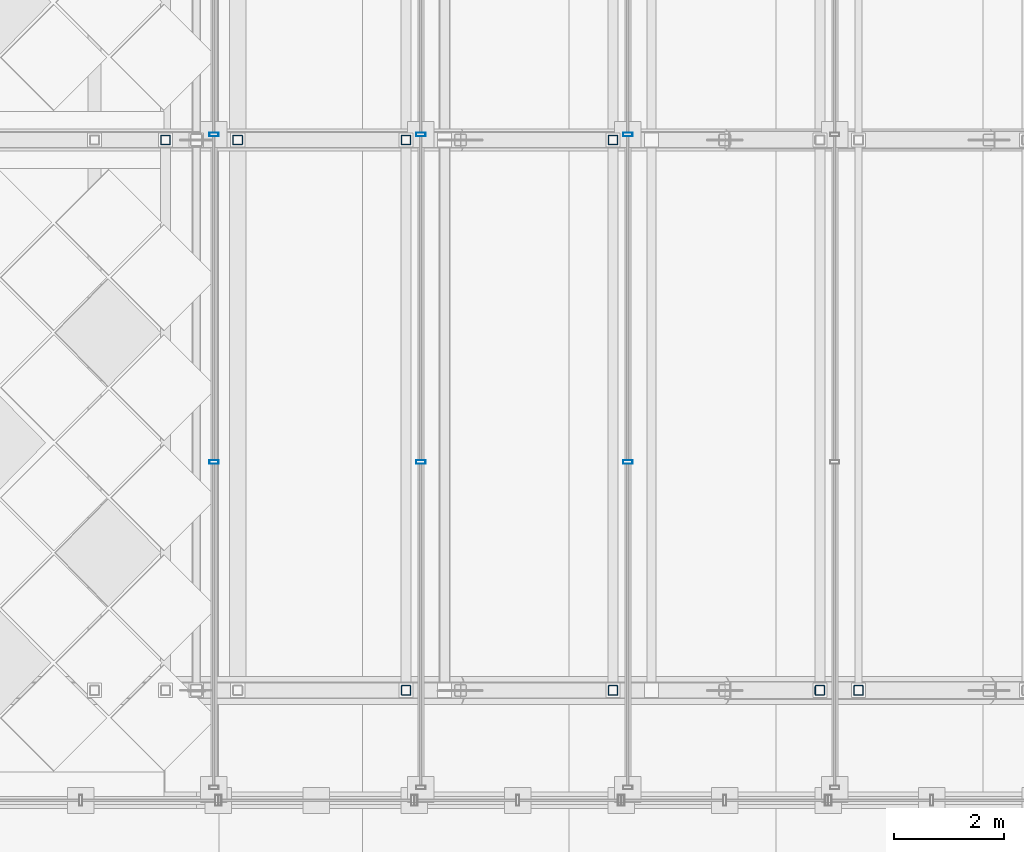
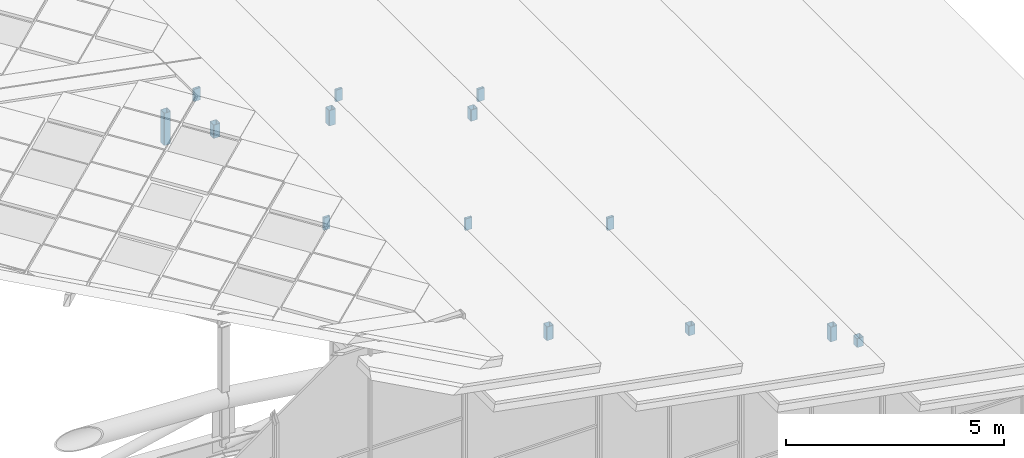
# One storey, part 54 of 117: 14 members, 3 elements without a shape of their own.
"""IFC4 building model written with IfcOpenShell, lengths in metres."""

from ifc_helpers import new_model, si_unit, direction, frame, origin, origin_2d, place, context, subcontext, project, spatial, hollow_rectangle, extrude, material, material_profile, profile_set, type_object, element, aggregate, save


model = new_model("IFC4")

# Units and contexts
model_context = context("Model", 3, precision=1e-05, world=origin(), true_north=direction((0.0, 1.0)))
body_context = subcontext(model_context, "Body", "Model", "MODEL_VIEW")
ifc_project = project(units=[si_unit("LENGTHUNIT", "METRE"), si_unit("AREAUNIT", "SQUARE_METRE"), si_unit("VOLUMEUNIT", "CUBIC_METRE"), si_unit("PLANEANGLEUNIT", "RADIAN"), si_unit("MASSUNIT", "GRAM", prefix="KILO")], contexts=[model_context])

# Site, building, storey
site_placement = place(None, origin())
site = spatial("IfcSite", under=ifc_project, at=site_placement, CompositionType="ELEMENT")
building_placement = place(site_placement, origin())
building = spatial("IfcBuilding", under=site, at=building_placement, Name="Merenkruunu Market Hall", CompositionType="ELEMENT")
storey_placement = place(building_placement, frame((0.0, 0.0, 22.800048828125)))
storey = spatial("IfcBuildingStorey", under=building, at=storey_placement, Name="RF", CompositionType="ELEMENT", Elevation=22.800048828125)

# Curtain wall, members
ifc_material_1 = material(Name="Powder-coated aluminium", Category="aluminium")
curtain_wall_type = type_object("IfcCurtainWallType", Name="Clerestory Curtain Band CL05", PredefinedType="USERDEFINED", material=ifc_material_1)
curtain_wall_1_placement = place(storey_placement, origin())
curtain_wall_1 = element("IfcCurtainWall", 1, at=curtain_wall_1_placement, inside=storey, type_object=curtain_wall_type, Name="CW-RF-CWM04-098", ObjectType="CLERESTORY_BAND", PredefinedType="USERDEFINED")
ifc_material_profile_1 = material_profile(ifc_material_1, hollow_rectangle(XDim=0.070068359375, YDim=0.169921875, WallThickness=0.0048828125, at=origin_2d()), Name="ALU 70x170x5")
ifc_profile_set_1 = profile_set([ifc_material_profile_1], Name="Powder-coated aluminium")
member_type_1 = type_object("IfcMemberType", Name="Curtain Wall Mullion CWM04", PredefinedType="MULLION", material=ifc_profile_set_1)
member_1_placement = place(storey_placement, frame((46.239990234375, 27.699951171875, -3.882080078125), z_axis=(0.0, 0.0, 1.0), x_axis=(0.0, -1.0, 0.0)))
member_1 = element("IfcMember", 2, at=member_1_placement, type_object=member_type_1, Name="CL05 mullion 3", PredefinedType="MULLION", context=body_context, shape_type="SweptSolid", body=[
    extrude(hollow_rectangle(XDim=0.070068359375, YDim=0.169921875, WallThickness=0.0048828125, at=origin_2d()), origin(), (0.0, 0.0, 1.0), 0.34814453125),
])
member_2_placement = place(storey_placement, frame((46.239990234375, 21.75, -3.882080078125), z_axis=(0.0, 0.0, 1.0), x_axis=(0.0, -1.0, 0.0)))
member_2 = element("IfcMember", 3, at=member_2_placement, type_object=member_type_1, Name="CL05 mullion 4", PredefinedType="MULLION", context=body_context, shape_type="SweptSolid", body=[
    extrude(hollow_rectangle(XDim=0.070068359375, YDim=0.169921875, WallThickness=0.0048828125, at=origin_2d()), origin(), (0.0, 0.0, 1.0), 0.34814453125),
])
aggregate(curtain_wall_1, [member_1, member_2])

curtain_wall_2_placement = place(storey_placement, origin())
curtain_wall_2 = element("IfcCurtainWall", 4, at=curtain_wall_2_placement, inside=storey, type_object=curtain_wall_type, Name="CW-RF-CWM04-106", ObjectType="CLERESTORY_BAND", PredefinedType="USERDEFINED")
member_3_placement = place(storey_placement, frame((42.47998046875, 27.699951171875, -2.56201171875), z_axis=(0.0, 0.0, 1.0), x_axis=(0.0, -1.0, 0.0)))
member_3 = element("IfcMember", 5, at=member_3_placement, type_object=member_type_1, Name="CL05 mullion 3", PredefinedType="MULLION", context=body_context, shape_type="SweptSolid", body=[
    extrude(hollow_rectangle(XDim=0.070068359375, YDim=0.169921875, WallThickness=0.0048828125, at=origin_2d()), origin(), (0.0, 0.0, 1.0), 0.326904296875),
])
member_4_placement = place(storey_placement, frame((42.47998046875, 21.75, -2.56201171875), z_axis=(0.0, 0.0, 1.0), x_axis=(0.0, -1.0, 0.0)))
member_4 = element("IfcMember", 6, at=member_4_placement, type_object=member_type_1, Name="CL05 mullion 4", PredefinedType="MULLION", context=body_context, shape_type="SweptSolid", body=[
    extrude(hollow_rectangle(XDim=0.070068359375, YDim=0.169921875, WallThickness=0.0048828125, at=origin_2d()), origin(), (0.0, 0.0, 1.0), 0.326904296875),
])
aggregate(curtain_wall_2, [member_3, member_4])

curtain_wall_3_placement = place(storey_placement, origin())
curtain_wall_3 = element("IfcCurtainWall", 7, at=curtain_wall_3_placement, inside=storey, type_object=curtain_wall_type, Name="CW-RF-CWM04-114", ObjectType="CLERESTORY_BAND", PredefinedType="USERDEFINED")
member_5_placement = place(storey_placement, frame((38.719970703125, 27.699951171875, -1.241943359375), z_axis=(0.0, 0.0, 1.0), x_axis=(0.0, -1.0, 0.0)))
member_5 = element("IfcMember", 8, at=member_5_placement, type_object=member_type_1, Name="CL05 mullion 3", PredefinedType="MULLION", context=body_context, shape_type="SweptSolid", body=[
    extrude(hollow_rectangle(XDim=0.070068359375, YDim=0.169921875, WallThickness=0.0048828125, at=origin_2d()), origin(), (0.0, 0.0, 1.0), 0.347900390625),
])
member_6_placement = place(storey_placement, frame((38.719970703125, 21.75, -1.241943359375), z_axis=(0.0, 0.0, 1.0), x_axis=(0.0, -1.0, 0.0)))
member_6 = element("IfcMember", 9, at=member_6_placement, type_object=member_type_1, Name="CL05 mullion 4", PredefinedType="MULLION", context=body_context, shape_type="SweptSolid", body=[
    extrude(hollow_rectangle(XDim=0.070068359375, YDim=0.169921875, WallThickness=0.0048828125, at=origin_2d()), origin(), (0.0, 0.0, 1.0), 0.347900390625),
])
aggregate(curtain_wall_3, [member_5, member_6])

# Members
ifc_material_2 = material(Name="Steel S355J2", Category="steel")
ifc_material_profile_2 = material_profile(ifc_material_2, hollow_rectangle(XDim=0.179931640625, YDim=0.179931640625, WallThickness=0.010009765625, InnerFilletRadius=0.010009765625, OuterFilletRadius=0.02001953125, at=origin_2d()), Name="SHS 180x180x10")
ifc_profile_set_2 = profile_set([ifc_material_profile_2], Name="Steel S355J2")
member_type_2 = type_object("IfcMemberType", Name="Diagonal Sway Brace BR05", PredefinedType="BRACE", material=ifc_profile_set_2)
member_7_placement = place(storey_placement, frame((50.429931640625, 17.60009765625, -6.075439453125), z_axis=(0.0, 0.0, 1.0), x_axis=(1.0, 0.0, 0.0)))
element("IfcMember", 10, at=member_7_placement, inside=storey, type_object=member_type_2, Name="TRUSS-AT-1-RISER-E2-2", PredefinedType="BRACE", context=body_context, shape_type="SweptSolid", body=[
    extrude(hollow_rectangle(XDim=0.179931640625, YDim=0.179931640625, WallThickness=0.010009765625, InnerFilletRadius=0.010009765625, OuterFilletRadius=0.02001953125, at=origin_2d()), origin(), (0.0, 0.0, 1.0), 0.25),
])
member_8_placement = place(storey_placement, frame((49.72998046875, 17.60009765625, -5.670166015625), z_axis=(0.0, 0.0, 1.0), x_axis=(1.0, 0.0, 0.0)))
element("IfcMember", 11, at=member_8_placement, inside=storey, type_object=member_type_2, Name="TRUSS-AT-1-RISER-E3-1", PredefinedType="BRACE", context=body_context, shape_type="SweptSolid", body=[
    extrude(hollow_rectangle(XDim=0.179931640625, YDim=0.179931640625, WallThickness=0.010009765625, InnerFilletRadius=0.010009765625, OuterFilletRadius=0.02001953125, at=origin_2d()), origin(), (0.0, 0.0, 1.0), 0.411865234375),
])
member_9_placement = place(storey_placement, frame((45.969970703125, 17.60009765625, -4.18505859375), z_axis=(0.0, 0.0, 1.0), x_axis=(1.0, 0.0, 0.0)))
element("IfcMember", 12, at=member_9_placement, inside=storey, type_object=member_type_2, Name="TRUSS-AT-1-RISER-E4-1", PredefinedType="BRACE", context=body_context, shape_type="SweptSolid", body=[
    extrude(hollow_rectangle(XDim=0.179931640625, YDim=0.179931640625, WallThickness=0.010009765625, InnerFilletRadius=0.010009765625, OuterFilletRadius=0.02001953125, at=origin_2d()), origin(), (0.0, 0.0, 1.0), 0.26708984375),
])
member_10_placement = place(storey_placement, frame((42.2099609375, 17.60009765625, -3.0029296875), z_axis=(0.0, 0.0, 1.0), x_axis=(1.0, 0.0, 0.0)))
element("IfcMember", 13, at=member_10_placement, inside=storey, type_object=member_type_2, Name="TRUSS-AT-1-RISER-E5-1", PredefinedType="BRACE", context=body_context, shape_type="SweptSolid", body=[
    extrude(hollow_rectangle(XDim=0.179931640625, YDim=0.179931640625, WallThickness=0.010009765625, InnerFilletRadius=0.010009765625, OuterFilletRadius=0.02001953125, at=origin_2d()), origin(), (0.0, 0.0, 1.0), 0.384521484375),
])
member_11_placement = place(storey_placement, frame((45.969970703125, 27.60009765625, -4.23583984375), z_axis=(0.0, 0.0, 1.0), x_axis=(1.0, 0.0, 0.0)))
element("IfcMember", 14, at=member_11_placement, inside=storey, type_object=member_type_2, Name="TRUSS-AT-2-RISER-E4-1", PredefinedType="BRACE", context=body_context, shape_type="SweptSolid", body=[
    extrude(hollow_rectangle(XDim=0.179931640625, YDim=0.179931640625, WallThickness=0.010009765625, InnerFilletRadius=0.010009765625, OuterFilletRadius=0.02001953125, at=origin_2d()), origin(), (0.0, 0.0, 1.0), 0.31787109375),
])
member_12_placement = place(storey_placement, frame((42.2099609375, 27.60009765625, -3.053955078125), z_axis=(0.0, 0.0, 1.0), x_axis=(1.0, 0.0, 0.0)))
element("IfcMember", 15, at=member_12_placement, inside=storey, type_object=member_type_2, Name="TRUSS-AT-2-RISER-E5-1", PredefinedType="BRACE", context=body_context, shape_type="SweptSolid", body=[
    extrude(hollow_rectangle(XDim=0.179931640625, YDim=0.179931640625, WallThickness=0.010009765625, InnerFilletRadius=0.010009765625, OuterFilletRadius=0.02001953125, at=origin_2d()), origin(), (0.0, 0.0, 1.0), 0.435546875),
])
member_13_placement = place(storey_placement, frame((39.14990234375, 27.60009765625, -2.326904296875), z_axis=(0.0, 0.0, 1.0), x_axis=(1.0, 0.0, 0.0)))
element("IfcMember", 16, at=member_13_placement, inside=storey, type_object=member_type_2, Name="TRUSS-AT-2-RISER-E5-2", PredefinedType="BRACE", context=body_context, shape_type="SweptSolid", body=[
    extrude(hollow_rectangle(XDim=0.179931640625, YDim=0.179931640625, WallThickness=0.010009765625, InnerFilletRadius=0.010009765625, OuterFilletRadius=0.02001953125, at=origin_2d()), origin(), (0.0, 0.0, 1.0), 0.37451171875),
])
member_14_placement = place(storey_placement, frame((37.840087890625, 27.60009765625, -2.07080078125), z_axis=(0.0, 0.0, 1.0), x_axis=(1.0, 0.0, 0.0)))
element("IfcMember", 17, at=member_14_placement, inside=storey, type_object=member_type_2, Name="TRUSS-AT-2-RISER-E6-1", PredefinedType="BRACE", context=body_context, shape_type="SweptSolid", body=[
    extrude(hollow_rectangle(XDim=0.179931640625, YDim=0.179931640625, WallThickness=0.010009765625, InnerFilletRadius=0.010009765625, OuterFilletRadius=0.02001953125, at=origin_2d()), origin(), (0.0, 0.0, 1.0), 0.90576171875),
])

save(model, "model.ifc")
